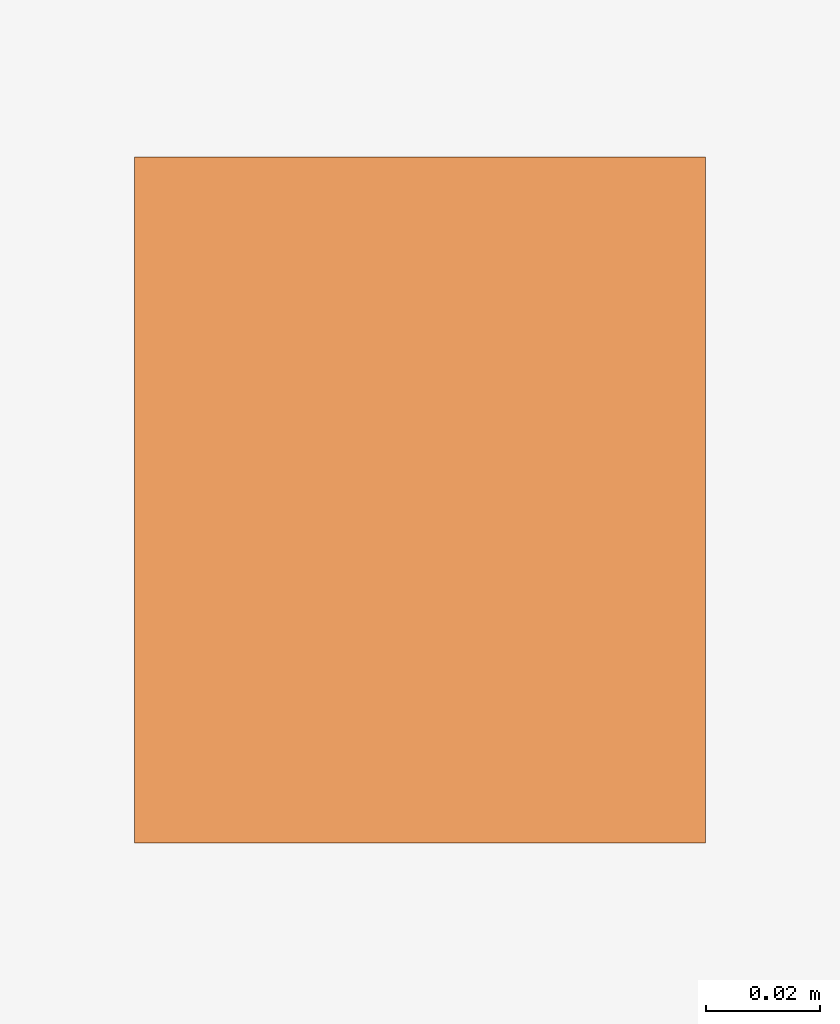
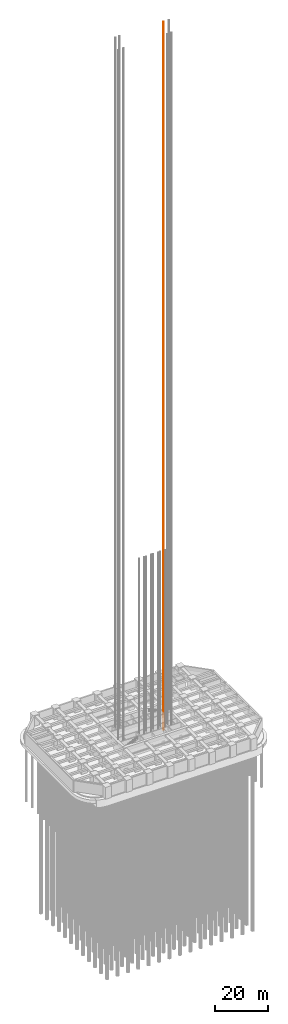
# One storey, part 23 of 24: 1 proxy.
"""IFC4 building model written with IfcOpenShell, lengths in metres."""

from ifc_helpers import new_model, si_unit, direction, frame, origin, origin_2d, place, context, subcontext, project, spatial, rectangle, extrude, element, save


model = new_model("IFC4")

# Units and contexts
model_context = context("Model", 3, precision=1e-05, world=origin(), true_north=direction((0.0, 1.0)))
body_context = subcontext(model_context, "Body", "Model", "MODEL_VIEW")
ifc_project = project(units=[si_unit("LENGTHUNIT", "METRE"), si_unit("AREAUNIT", "SQUARE_METRE"), si_unit("VOLUMEUNIT", "CUBIC_METRE"), si_unit("PLANEANGLEUNIT", "RADIAN"), si_unit("MASSUNIT", "GRAM", prefix="KILO")], contexts=[model_context])

# Site, building, storey
site_placement = place(None, origin())
site = spatial("IfcSite", under=ifc_project, at=site_placement, CompositionType="ELEMENT")
building_placement = place(site_placement, origin())
building = spatial("IfcBuilding", under=site, at=building_placement, Name="Zorevar Civic Tower", CompositionType="ELEMENT")
storey_placement = place(building_placement, frame((0.0, 0.0, -5.0)))
storey = spatial("IfcBuildingStorey", under=building, at=storey_placement, Name="B1", CompositionType="ELEMENT", Elevation=-5.0)

# Proxy
proxy_placement = place(storey_placement, frame((42.35009765625, 30.800048828125, -3.349853515625), z_axis=(0.0, 0.0, 1.0), x_axis=(1.0, 0.0, 0.0)))
element("IfcBuildingElementProxy", 1, at=proxy_placement, inside=storey, Name="Firefighting lift FL2 guide rail 1", PredefinedType="NOTDEFINED", context=body_context, shape_type="SweptSolid", body=[
    extrude(rectangle(XDim=0.10009765625, YDim=0.1201171875, at=origin_2d()), origin(), (0.0, 0.0, 1.0), 323.64990234375),
])

save(model, "model.ifc")
